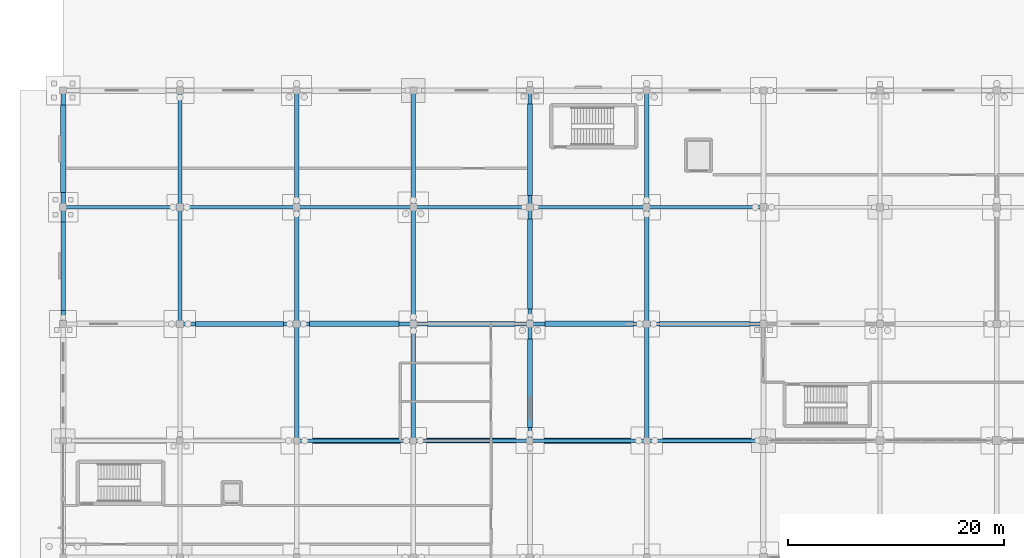
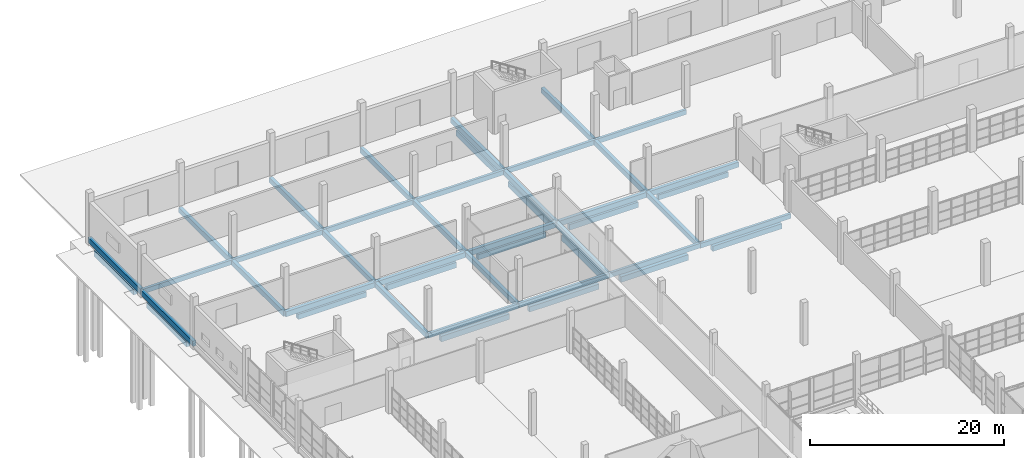
# One storey, part 48 of 138: 45 beams.
"""IFC4 building model written with IfcOpenShell, lengths in metres."""

from ifc_helpers import new_model, si_unit, direction, frame, origin, origin_2d, place, context, subcontext, project, spatial, rectangle, extrude, material, material_profile, profile_set, type_object, element, save


model = new_model("IFC4")

# Units and contexts
model_context = context("Model", 3, precision=1e-05, world=origin(), true_north=direction((0.0, 1.0)))
body_context = subcontext(model_context, "Body", "Model", "MODEL_VIEW")
ifc_project = project(units=[si_unit("LENGTHUNIT", "METRE"), si_unit("AREAUNIT", "SQUARE_METRE"), si_unit("VOLUMEUNIT", "CUBIC_METRE"), si_unit("PLANEANGLEUNIT", "RADIAN"), si_unit("MASSUNIT", "GRAM", prefix="KILO")], contexts=[model_context])

# Site, building, storey
site_placement = place(None, origin())
site = spatial("IfcSite", under=ifc_project, at=site_placement, CompositionType="ELEMENT")
building_placement = place(site_placement, origin())
building = spatial("IfcBuilding", under=site, at=building_placement, Name="Zwinboog Wholesale Market", CompositionType="ELEMENT")
storey_placement = place(building_placement, origin())
storey = spatial("IfcBuildingStorey", under=building, at=storey_placement, Name="L00", CompositionType="ELEMENT", Elevation=0.0)

# Beams
ifc_material_1 = material(Name="Precast concrete C45/55", Category="concrete")
ifc_material_profile_1 = material_profile(ifc_material_1, rectangle(XDim=0.39990234375, YDim=0.64990234375, at=origin_2d()), Name="PC 400x650")
ifc_profile_set_1 = profile_set([ifc_material_profile_1], Name="Precast concrete C45/55")
beam_type_1 = type_object("IfcBeamType", Name="BT-05", PredefinedType="BEAM", material=ifc_profile_set_1)
beam_1_placement = place(storey_placement, frame((10.800048828125, 108.0, -0.705078125), z_axis=(1.0, 0.0, 0.0), x_axis=(0.0, 1.0, 0.0)))
element("IfcBeam", 1, at=beam_1_placement, inside=storey, type_object=beam_type_1, Name="BG-05 (BMG-L00-0108-1080-0152)", PredefinedType="BEAM", context=body_context, shape_type="SweptSolid", body=[
    extrude(rectangle(XDim=0.39990234375, YDim=0.64990234375, at=origin_2d()), origin(), (0.0, 0.0, 1.0), 10.800048828125),
])
beam_2_placement = place(storey_placement, frame((21.60009765625, 108.0, -0.705078125), z_axis=(1.0, 0.0, 0.0), x_axis=(0.0, 1.0, 0.0)))
element("IfcBeam", 2, at=beam_2_placement, inside=storey, type_object=beam_type_1, Name="BG-05 (BMG-L00-0216-1080-0153)", PredefinedType="BEAM", context=body_context, shape_type="SweptSolid", body=[
    extrude(rectangle(XDim=0.39990234375, YDim=0.64990234375, at=origin_2d()), origin(), (0.0, 0.0, 1.0), 10.7998046875),
])
for number, where, z_axis, x_axis, name in (
    (3, (32.39990234375, 108.0, -0.705078125), (1.0, 0.0, 0.0), (0.0, 1.0, 0.0), "BG-05 (BMG-L00-0324-1080-0154)"),
    (4, (43.199951171875, 108.0, -0.705078125), (1.0, 0.0, 0.0), (0.0, 1.0, 0.0), "BG-05 (BMG-L00-0432-1080-0155)"),
    (5, (54.0, 108.0, -0.719970703125), (1.0, 0.0, 0.0), (0.0, 1.0, 0.0), "BG-05 (BMG-L00-0540-1080-0156)"),
    (6, (0.0, 108.0, -0.705078125), (0.0, 1.0, 0.0), (-1.0, 0.0, 0.0), "BG-05 (BMG-L00-0000-1080-0221)"),
    (7, (0.0, 118.800048828125, -0.675048828125), (0.0, 1.0, 0.0), (-1.0, 0.0, 0.0), "BG-05 (BMG-L00-0000-1188-0222)"),
    (8, (10.800048828125, 108.0, -0.705078125), (0.0, 1.0, 0.0), (-1.0, 0.0, 0.0), "BG-05 (BMG-L00-0108-1080-0233)"),
    (9, (10.800048828125, 118.800048828125, -0.675048828125), (0.0, 1.0, 0.0), (-1.0, 0.0, 0.0), "BG-05 (BMG-L00-0108-1188-0234)"),
    (10, (21.60009765625, 97.199951171875, -0.705078125), (0.0, 1.0, 0.0), (-1.0, 0.0, 0.0), "BG-05 (BMG-L00-0216-0972-0244)"),
    (11, (21.60009765625, 108.0, -0.705078125), (0.0, 1.0, 0.0), (-1.0, 0.0, 0.0), "BG-05 (BMG-L00-0216-1080-0245)"),
    (12, (21.60009765625, 118.800048828125, -0.675048828125), (0.0, 1.0, 0.0), (-1.0, 0.0, 0.0), "BG-05 (BMG-L00-0216-1188-0246)"),
    (13, (32.39990234375, 97.199951171875, -0.675048828125), (0.0, 1.0, 0.0), (-1.0, 0.0, 0.0), "BG-05 (BMG-L00-0324-0972-0256)"),
    (14, (32.39990234375, 108.0, -0.675048828125), (0.0, 1.0, 0.0), (-1.0, 0.0, 0.0), "BG-05 (BMG-L00-0324-1080-0257)"),
    (15, (32.39990234375, 118.800048828125, -0.675048828125), (0.0, 1.0, 0.0), (-1.0, 0.0, 0.0), "BG-05 (BMG-L00-0324-1188-0258)"),
    (16, (43.199951171875, 97.199951171875, -0.705078125), (0.0, 1.0, 0.0), (-1.0, 0.0, 0.0), "BG-05 (BMG-L00-0432-0972-0268)"),
    (17, (43.199951171875, 108.0, -0.705078125), (0.0, 1.0, 0.0), (-1.0, 0.0, 0.0), "BG-05 (BMG-L00-0432-1080-0269)"),
    (18, (43.199951171875, 118.800048828125, -0.705078125), (0.0, 1.0, 0.0), (-1.0, 0.0, 0.0), "BG-05 (BMG-L00-0432-1188-0270)"),
    (19, (54.0, 97.199951171875, -0.705078125), (0.0, 1.0, 0.0), (-1.0, 0.0, 0.0), "BG-05 (BMG-L00-0540-0972-0274)"),
    (20, (54.0, 108.0, -0.705078125), (0.0, 1.0, 0.0), (-1.0, 0.0, 0.0), "BG-05 (BMG-L00-0540-1080-0275)"),
    (21, (54.0, 118.800048828125, -0.705078125), (0.0, 1.0, 0.0), (-1.0, 0.0, 0.0), "BG-05 (BMG-L00-0540-1188-0276)"),
):
    element("IfcBeam", number, at=place(storey_placement, frame(where, z_axis=z_axis, x_axis=x_axis)), inside=storey, type_object=beam_type_1, Name=name, PredefinedType="BEAM", context=body_context, shape_type="SweptSolid", body=[
        extrude(rectangle(XDim=0.39990234375, YDim=0.64990234375, at=origin_2d()), origin(), (0.0, 0.0, 1.0), 10.800048828125),
    ])
ifc_material_profile_2 = material_profile(ifc_material_1, rectangle(XDim=0.300048828125, YDim=0.60009765625, at=origin_2d()), Name="PC 300x600")
ifc_profile_set_2 = profile_set([ifc_material_profile_2], Name="Precast concrete C45/55")
beam_type_2 = type_object("IfcBeamType", Name="BT-09", PredefinedType="SPANDREL", material=ifc_profile_set_2)
beam_3_placement = place(storey_placement, frame((21.60009765625, 97.199951171875, -0.679931640625), z_axis=(1.0, 0.0, 0.0), x_axis=(0.0, 1.0, 0.0)))
element("IfcBeam", 22, at=beam_3_placement, inside=storey, type_object=beam_type_2, Name="SP-02 (BMG-L00-0216-0972-0133)", PredefinedType="SPANDREL", context=body_context, shape_type="SweptSolid", body=[
    extrude(rectangle(XDim=0.300048828125, YDim=0.60009765625, at=origin_2d()), origin(), (0.0, 0.0, 1.0), 10.7998046875),
])
for number, where, z_axis, x_axis, name in (
    (23, (32.39990234375, 97.199951171875, -0.64208984375), (1.0, 0.0, 0.0), (0.0, 1.0, 0.0), "SP-02 (BMG-L00-0324-0972-0134)"),
    (24, (43.199951171875, 97.199951171875, -0.64208984375), (1.0, 0.0, 0.0), (0.0, 1.0, 0.0), "SP-02 (BMG-L00-0432-0972-0135)"),
    (25, (54.0, 97.199951171875, -0.695068359375), (1.0, 0.0, 0.0), (0.0, 1.0, 0.0), "SP-02 (BMG-L00-0540-0972-0136)"),
    (26, (0.0, 118.800048828125, -0.64990234375), (1.0, 0.0, 0.0), (0.0, 1.0, 0.0), "SP-02 (BMG-L00-0000-1188-0171)"),
    (27, (10.800048828125, 118.800048828125, -0.64990234375), (1.0, 0.0, 0.0), (0.0, 1.0, 0.0), "SP-02 (BMG-L00-0108-1188-0172)"),
):
    element("IfcBeam", number, at=place(storey_placement, frame(where, z_axis=z_axis, x_axis=x_axis)), inside=storey, type_object=beam_type_2, Name=name, PredefinedType="SPANDREL", context=body_context, shape_type="SweptSolid", body=[
        extrude(rectangle(XDim=0.300048828125, YDim=0.60009765625, at=origin_2d()), origin(), (0.0, 0.0, 1.0), 10.800048828125),
    ])
beam_4_placement = place(storey_placement, frame((21.60009765625, 118.800048828125, -0.64990234375), z_axis=(1.0, 0.0, 0.0), x_axis=(0.0, 1.0, 0.0)))
element("IfcBeam", 28, at=beam_4_placement, inside=storey, type_object=beam_type_2, Name="SP-02 (BMG-L00-0216-1188-0173)", PredefinedType="SPANDREL", context=body_context, shape_type="SweptSolid", body=[
    extrude(rectangle(XDim=0.300048828125, YDim=0.60009765625, at=origin_2d()), origin(), (0.0, 0.0, 1.0), 10.7998046875),
])
for number, where, z_axis, x_axis, name in (
    (29, (32.39990234375, 118.800048828125, -0.679931640625), (1.0, 0.0, 0.0), (0.0, 1.0, 0.0), "SP-02 (BMG-L00-0324-1188-0174)"),
    (30, (43.199951171875, 118.800048828125, -0.679931640625), (1.0, 0.0, 0.0), (0.0, 1.0, 0.0), "SP-02 (BMG-L00-0432-1188-0175)"),
    (31, (54.0, 118.800048828125, -0.679931640625), (1.0, 0.0, 0.0), (0.0, 1.0, 0.0), "SP-02 (BMG-L00-0540-1188-0176)"),
):
    element("IfcBeam", number, at=place(storey_placement, frame(where, z_axis=z_axis, x_axis=x_axis)), inside=storey, type_object=beam_type_2, Name=name, PredefinedType="SPANDREL", context=body_context, shape_type="SweptSolid", body=[
        extrude(rectangle(XDim=0.300048828125, YDim=0.60009765625, at=origin_2d()), origin(), (0.0, 0.0, 1.0), 10.800048828125),
    ])
ifc_material_2 = material(Name="Concrete C35/45", Category="concrete")
ifc_material_profile_3 = material_profile(ifc_material_2, rectangle(XDim=0.5, YDim=0.699951171875, at=origin_2d()), Name="RC 500x700")
ifc_profile_set_3 = profile_set([ifc_material_profile_3], Name="Concrete C35/45")
beam_type_3 = type_object("IfcBeamType", Name="BT-12", PredefinedType="USERDEFINED", material=ifc_profile_set_3)
beam_5_placement = place(storey_placement, frame((23.054931640625, 97.199951171875, -1.550048828125), z_axis=(1.0, 0.0, 0.0), x_axis=(0.0, 1.0, 0.0)))
element("IfcBeam", 32, at=beam_5_placement, inside=storey, type_object=beam_type_3, Name="GB-01 (BM-GB-0069)", ObjectType="GROUND_BEAM", PredefinedType="USERDEFINED", context=body_context, shape_type="SweptSolid", body=[
    extrude(rectangle(XDim=0.5, YDim=0.699951171875, at=origin_2d()), origin(), (0.0, 0.0, 1.0), 8.14013671875),
])
beam_6_placement = place(storey_placement, frame((44.5048828125, 97.199951171875, -1.550048828125), z_axis=(1.0, 0.0, 0.0), x_axis=(0.0, 1.0, 0.0)))
element("IfcBeam", 33, at=beam_6_placement, inside=storey, type_object=beam_type_3, Name="GB-01 (BM-GB-0071)", ObjectType="GROUND_BEAM", PredefinedType="USERDEFINED", context=body_context, shape_type="SweptSolid", body=[
    extrude(rectangle(XDim=0.5, YDim=0.699951171875, at=origin_2d()), origin(), (0.0, 0.0, 1.0), 8.0400390625),
])
beam_7_placement = place(storey_placement, frame((22.804931640625, 108.0, -1.550048828125), z_axis=(1.0, 0.0, 0.0), x_axis=(0.0, 1.0, 0.0)))
element("IfcBeam", 34, at=beam_7_placement, inside=storey, type_object=beam_type_3, Name="GB-01 (BM-GB-0089)", ObjectType="GROUND_BEAM", PredefinedType="USERDEFINED", context=body_context, shape_type="SweptSolid", body=[
    extrude(rectangle(XDim=0.5, YDim=0.699951171875, at=origin_2d()), origin(), (0.0, 0.0, 1.0), 8.2900390625),
])
beam_8_placement = place(storey_placement, frame((44.60498046875, 108.0, -1.550048828125), z_axis=(1.0, 0.0, 0.0), x_axis=(0.0, 1.0, 0.0)))
element("IfcBeam", 35, at=beam_8_placement, inside=storey, type_object=beam_type_3, Name="GB-01 (BM-GB-0091)", ObjectType="GROUND_BEAM", PredefinedType="USERDEFINED", context=body_context, shape_type="SweptSolid", body=[
    extrude(rectangle(XDim=0.5, YDim=0.699951171875, at=origin_2d()), origin(), (0.0, 0.0, 1.0), 8.18994140625),
])
beam_9_placement = place(storey_placement, frame((0.0, 120.155029296875, -1.550048828125), z_axis=(0.0, 1.0, 0.0), x_axis=(-1.0, 0.0, 0.0)))
element("IfcBeam", 36, at=beam_9_placement, inside=storey, type_object=beam_type_3, Name="GB-01 (BM-GB-0138)", ObjectType="GROUND_BEAM", PredefinedType="USERDEFINED", context=body_context, shape_type="SweptSolid", body=[
    extrude(rectangle(XDim=0.5, YDim=0.699951171875, at=origin_2d()), origin(), (0.0, 0.0, 1.0), 8.090087890625),
])
beam_10_placement = place(storey_placement, frame((43.199951171875, 98.405029296875, -1.550048828125), z_axis=(0.0, 1.0, 0.0), x_axis=(-1.0, 0.0, 0.0)))
element("IfcBeam", 37, at=beam_10_placement, inside=storey, type_object=beam_type_3, Name="GB-01 (BM-GB-0148)", ObjectType="GROUND_BEAM", PredefinedType="USERDEFINED", context=body_context, shape_type="SweptSolid", body=[
    extrude(rectangle(XDim=0.5, YDim=0.699951171875, at=origin_2d()), origin(), (0.0, 0.0, 1.0), 8.18994140625),
])
beam_11_placement = place(storey_placement, frame((43.199951171875, 119.905029296875, -1.550048828125), z_axis=(0.0, 1.0, 0.0), x_axis=(-1.0, 0.0, 0.0)))
element("IfcBeam", 38, at=beam_11_placement, inside=storey, type_object=beam_type_3, Name="GB-01 (BM-GB-0150)", ObjectType="GROUND_BEAM", PredefinedType="USERDEFINED", context=body_context, shape_type="SweptSolid", body=[
    extrude(rectangle(XDim=0.5, YDim=0.699951171875, at=origin_2d()), origin(), (0.0, 0.0, 1.0), 8.43994140625),
])
ifc_material_profile_4 = material_profile(ifc_material_2, rectangle(XDim=0.449951171875, YDim=0.64990234375, at=origin_2d()), Name="RC 450x650")
ifc_profile_set_4 = profile_set([ifc_material_profile_4], Name="Concrete C35/45")
beam_type_4 = type_object("IfcBeamType", Name="BT-13", PredefinedType="USERDEFINED", material=ifc_profile_set_4)
beam_12_placement = place(storey_placement, frame((33.60498046875, 97.199951171875, -1.52490234375), z_axis=(1.0, 0.0, 0.0), x_axis=(0.0, 1.0, 0.0)))
element("IfcBeam", 39, at=beam_12_placement, inside=storey, type_object=beam_type_4, Name="GB-02 (BM-GB-0070)", ObjectType="GROUND_BEAM", PredefinedType="USERDEFINED", context=body_context, shape_type="SweptSolid", body=[
    extrude(rectangle(XDim=0.449951171875, YDim=0.64990234375, at=origin_2d()), origin(), (0.0, 0.0, 1.0), 8.2900390625),
])
beam_13_placement = place(storey_placement, frame((55.455078125, 97.199951171875, -1.52490234375), z_axis=(1.0, 0.0, 0.0), x_axis=(0.0, 1.0, 0.0)))
element("IfcBeam", 40, at=beam_13_placement, inside=storey, type_object=beam_type_4, Name="GB-02 (BM-GB-0072)", ObjectType="GROUND_BEAM", PredefinedType="USERDEFINED", context=body_context, shape_type="SweptSolid", body=[
    extrude(rectangle(XDim=0.449951171875, YDim=0.64990234375, at=origin_2d()), origin(), (0.0, 0.0, 1.0), 8.239990234375),
])
beam_14_placement = place(storey_placement, frame((12.2548828125, 108.0, -1.52490234375), z_axis=(1.0, 0.0, 0.0), x_axis=(0.0, 1.0, 0.0)))
element("IfcBeam", 41, at=beam_14_placement, inside=storey, type_object=beam_type_4, Name="GB-02 (BM-GB-0088)", ObjectType="GROUND_BEAM", PredefinedType="USERDEFINED", context=body_context, shape_type="SweptSolid", body=[
    extrude(rectangle(XDim=0.449951171875, YDim=0.64990234375, at=origin_2d()), origin(), (0.0, 0.0, 1.0), 8.14013671875),
])
beam_15_placement = place(storey_placement, frame((33.705078125, 108.0, -1.52490234375), z_axis=(1.0, 0.0, 0.0), x_axis=(0.0, 1.0, 0.0)))
element("IfcBeam", 42, at=beam_15_placement, inside=storey, type_object=beam_type_4, Name="GB-02 (BM-GB-0090)", ObjectType="GROUND_BEAM", PredefinedType="USERDEFINED", context=body_context, shape_type="SweptSolid", body=[
    extrude(rectangle(XDim=0.449951171875, YDim=0.64990234375, at=origin_2d()), origin(), (0.0, 0.0, 1.0), 8.08984375),
])
beam_16_placement = place(storey_placement, frame((55.205078125, 108.0, -1.52490234375), z_axis=(1.0, 0.0, 0.0), x_axis=(0.0, 1.0, 0.0)))
element("IfcBeam", 43, at=beam_16_placement, inside=storey, type_object=beam_type_4, Name="GB-02 (BM-GB-0092)", ObjectType="GROUND_BEAM", PredefinedType="USERDEFINED", context=body_context, shape_type="SweptSolid", body=[
    extrude(rectangle(XDim=0.449951171875, YDim=0.64990234375, at=origin_2d()), origin(), (0.0, 0.0, 1.0), 8.33984375),
])
beam_17_placement = place(storey_placement, frame((0.0, 109.2548828125, -1.52490234375), z_axis=(0.0, 1.0, 0.0), x_axis=(-1.0, 0.0, 0.0)))
element("IfcBeam", 44, at=beam_17_placement, inside=storey, type_object=beam_type_4, Name="GB-02 (BM-GB-0137)", ObjectType="GROUND_BEAM", PredefinedType="USERDEFINED", context=body_context, shape_type="SweptSolid", body=[
    extrude(rectangle(XDim=0.449951171875, YDim=0.64990234375, at=origin_2d()), origin(), (0.0, 0.0, 1.0), 8.190185546875),
])
beam_18_placement = place(storey_placement, frame((43.199951171875, 109.405029296875, -1.52490234375), z_axis=(0.0, 1.0, 0.0), x_axis=(-1.0, 0.0, 0.0)))
element("IfcBeam", 45, at=beam_18_placement, inside=storey, type_object=beam_type_4, Name="GB-02 (BM-GB-0149)", ObjectType="GROUND_BEAM", PredefinedType="USERDEFINED", context=body_context, shape_type="SweptSolid", body=[
    extrude(rectangle(XDim=0.449951171875, YDim=0.64990234375, at=origin_2d()), origin(), (0.0, 0.0, 1.0), 8.2900390625),
])

save(model, "model.ifc")
